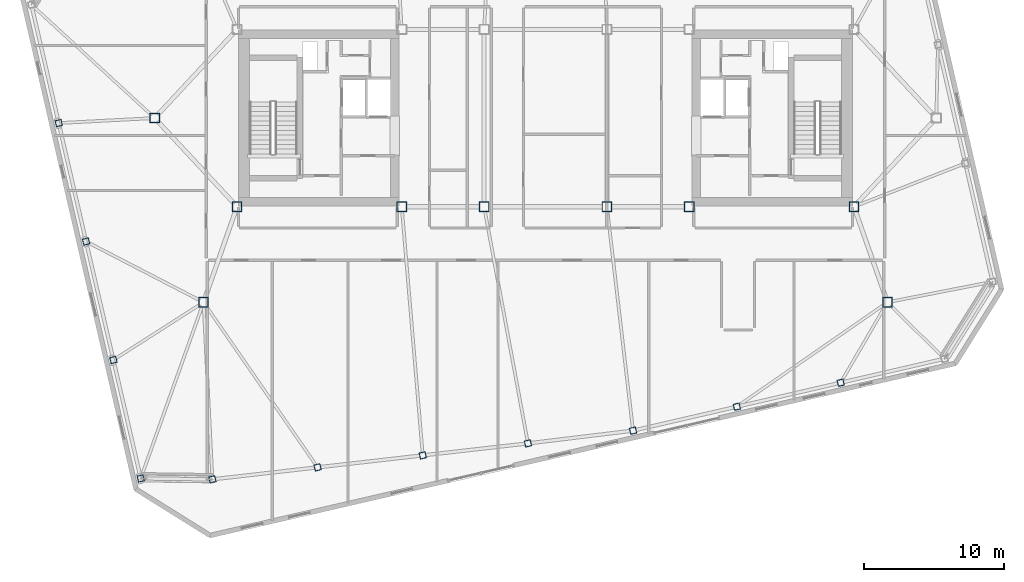
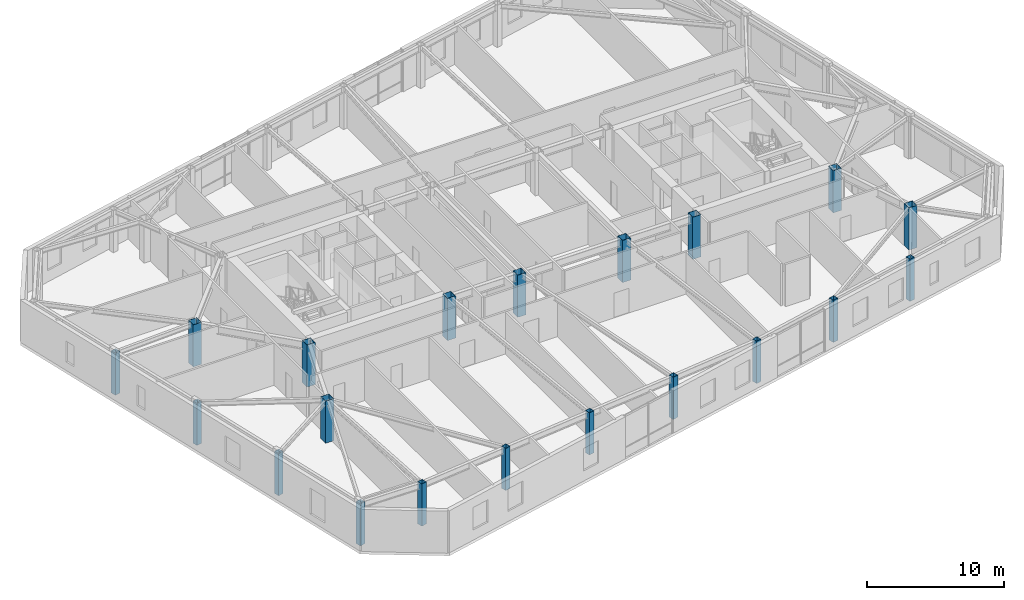
# One storey, part 1 of 23: 20 columns.
"""IFC4 building model written with IfcOpenShell, lengths in metres."""

from ifc_helpers import new_model, si_unit, direction, frame, origin, origin_2d, place, context, subcontext, project, spatial, hollow_rectangle, extrude, material, material_profile, profile_set, type_object, element, save


model = new_model("IFC4")

# Units and contexts
model_context = context("Model", 3, precision=1e-05, world=origin(), true_north=direction((0.0, 1.0)))
body_context = subcontext(model_context, "Body", "Model", "MODEL_VIEW")
ifc_project = project(units=[si_unit("LENGTHUNIT", "METRE"), si_unit("AREAUNIT", "SQUARE_METRE"), si_unit("VOLUMEUNIT", "CUBIC_METRE"), si_unit("PLANEANGLEUNIT", "RADIAN"), si_unit("MASSUNIT", "GRAM", prefix="KILO")], contexts=[model_context])

# Site, building, storey
site_placement = place(None, origin())
site = spatial("IfcSite", under=ifc_project, at=site_placement, CompositionType="ELEMENT")
building_placement = place(site_placement, origin())
building = spatial("IfcBuilding", under=site, at=building_placement, Name="Tavrogorsk Clinical Tower", CompositionType="ELEMENT")
storey_placement = place(building_placement, frame((0.0, 0.0, 297.0)))
storey = spatial("IfcBuildingStorey", under=building, at=storey_placement, Name="L69", CompositionType="ELEMENT", Elevation=297.0)

# Columns
ifc_material_1 = material(Name="Structural steel S440", Category="steel")
ifc_material_profile_1 = material_profile(ifc_material_1, hollow_rectangle(XDim=0.699951171875, YDim=0.699951171875, WallThickness=0.031982421875, at=origin_2d()), Name="BOX-700x700x32")
ifc_profile_set_1 = profile_set([ifc_material_profile_1], Name="Structural steel S440")
column_type_1 = type_object("IfcColumnType", Name="MegaCol_BOX700", PredefinedType="COLUMN", material=ifc_profile_set_1)
for number, where, z_axis, x_axis, name in (
    (1, (-22.10009765625, -6.35009765625, 0.0), (0.0, 0.0, 1.0), (1.0, 0.0, 0.0), "L69 Mega Column MC-W1"),
    (2, (-10.300048828125, -6.35009765625, 0.0), (0.0, 0.0, 1.0), (1.0, 0.0, 0.0), "L69 Mega Column MC-W3"),
    (3, (10.300048828125, -6.35009765625, 0.0), (0.0, 0.0, 1.0), (1.0, 0.0, 0.0), "L69 Mega Column MC-E1"),
    (4, (22.10009765625, -6.35009765625, 0.0), (0.0, 0.0, 1.0), (1.0, 0.0, 0.0), "L69 Mega Column MC-E3"),
    (5, (-4.39990234375, -6.35009765625, 0.0), (0.0, 0.0, 1.0), (1.0, 0.0, 0.0), "L69 Mega Column MC-C1"),
    (6, (4.39990234375, -6.35009765625, 0.0), (0.0, 0.0, 1.0), (1.0, 0.0, 0.0), "L69 Mega Column MC-C2"),
    (7, (-24.5, -13.199951171875, 0.0), (0.0, 0.0, 1.0), (1.0, 0.0, 0.0), "L69 Spine Pilotis Column MC-P1"),
    (8, (24.5, -13.199951171875, 0.0), (0.0, 0.0, 1.0), (1.0, 0.0, 0.0), "L69 Spine Pilotis Column MC-P2"),
    (9, (-28.0, 0.0, 0.0), (0.0, 0.0, 1.0), (1.0, 0.0, 0.0), "L69 Spine Pilotis Column MC-P5"),
):
    element("IfcColumn", number, at=place(storey_placement, frame(where, z_axis=z_axis, x_axis=x_axis)), inside=storey, type_object=column_type_1, Name=name, PredefinedType="COLUMN", context=body_context, shape_type="SweptSolid", body=[
        extrude(hollow_rectangle(XDim=0.699951171875, YDim=0.699951171875, WallThickness=0.031982421875, at=origin_2d()), origin(), (0.0, 0.0, 1.0), 3.739990234375),
    ])
ifc_material_2 = material(Name="Structural steel S440", Category="steel")
ifc_material_profile_2 = material_profile(ifc_material_2, hollow_rectangle(XDim=0.449951171875, YDim=0.449951171875, WallThickness=0.02197265625, at=origin_2d()), Name="BOX-450x450x22")
ifc_profile_set_2 = profile_set([ifc_material_profile_2], Name="Structural steel S440")
column_type_2 = type_object("IfcColumnType", Name="PerimCol_B5_BOX450", PredefinedType="COLUMN", material=ifc_profile_set_2)
for number, where, z_axis, x_axis, name in (
    (10, (-23.866943359375, -25.8857421875, 0.0), (0.0, 0.0, 1.0), (0.974370064785, 0.224951054344, 0.0), "L69 Perimeter Column S1"),
    (11, (-16.330322265625, -25.027099609375, 0.0), (0.0, 0.0, 1.0), (0.974370064785, 0.224951054344, 0.0), "L69 Perimeter Column S2"),
    (12, (-8.7939453125, -24.16845703125, 0.0), (0.0, 0.0, 1.0), (0.974370064785, 0.224951054344, 0.0), "L69 Perimeter Column S3"),
    (13, (-1.257568359375, -23.309814453125, 0.0), (0.0, 0.0, 1.0), (0.974370064785, 0.224951054344, 0.0), "L69 Perimeter Column S4"),
    (14, (6.272705078125, -22.39697265625, 0.0), (0.0, 0.0, 1.0), (0.974370064785, 0.224951054344, 0.0), "L69 Perimeter Column S5"),
    (15, (13.711181640625, -20.6796875, 0.0), (0.0, 0.0, 1.0), (0.974370064785, 0.224951054344, 0.0), "L69 Perimeter Column S6"),
    (16, (21.14990234375, -18.96240234375, 0.0), (0.0, 0.0, 1.0), (0.974370064785, 0.224951054344, 0.0), "L69 Perimeter Column S7"),
    (17, (-34.876708984375, -0.358642578125, 0.0), (0.0, 0.0, 1.0), (0.974370064785, 0.224951054344, 0.0), "L69 Perimeter Column W2"),
    (18, (-32.917236328125, -8.845458984375, 0.0), (0.0, 0.0, 1.0), (0.974370064785, 0.224951054344, 0.0), "L69 Perimeter Column W3"),
    (19, (-30.9580078125, -17.332275390625, 0.0), (0.0, 0.0, 1.0), (0.974370064785, 0.224951054344, 0.0), "L69 Perimeter Column W4"),
    (20, (-28.99853515625, -25.819091796875, 0.0), (0.0, 0.0, 1.0), (0.974370064785, 0.224951054344, 0.0), "L69 Perimeter Column W5"),
):
    element("IfcColumn", number, at=place(storey_placement, frame(where, z_axis=z_axis, x_axis=x_axis)), inside=storey, type_object=column_type_2, Name=name, PredefinedType="COLUMN", context=body_context, shape_type="SweptSolid", body=[
        extrude(hollow_rectangle(XDim=0.449951171875, YDim=0.449951171875, WallThickness=0.02197265625, at=origin_2d()), origin(), (0.0, 0.0, 1.0), 3.739990234375),
    ])

save(model, "model.ifc")
